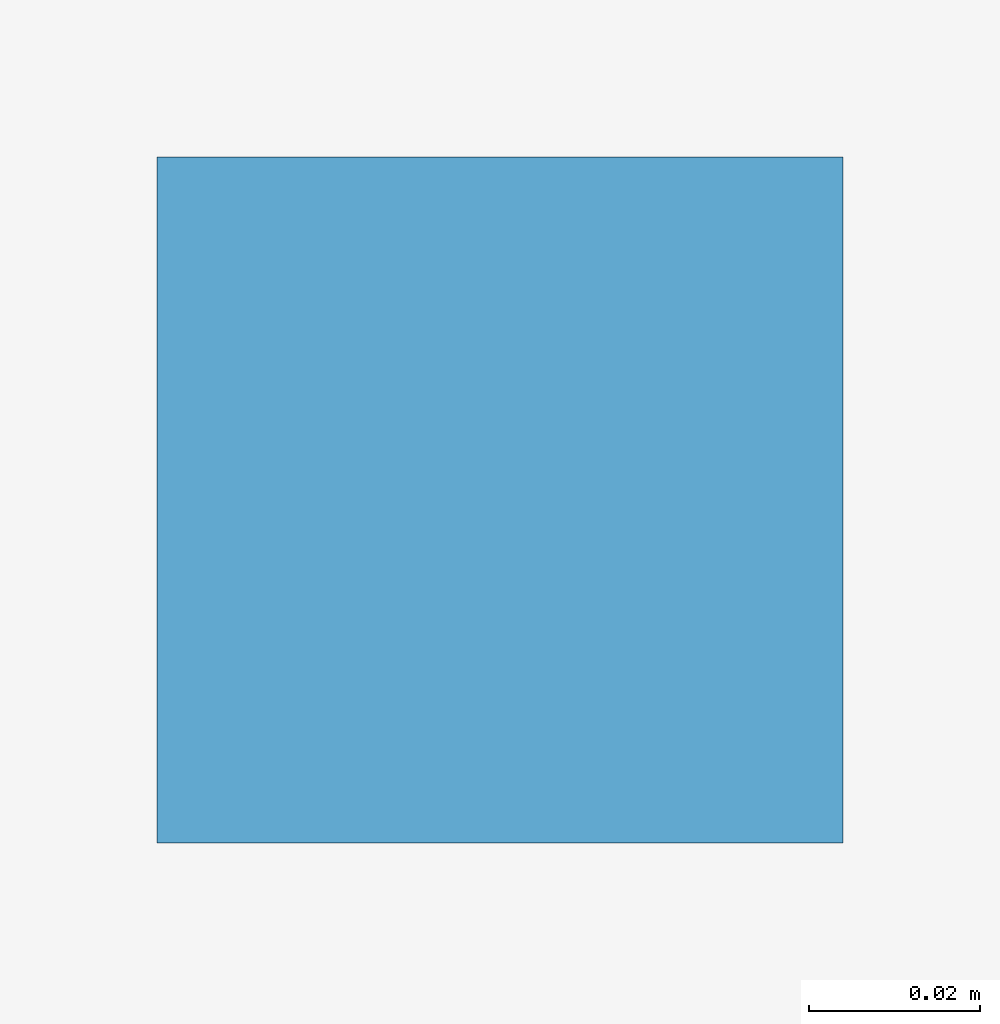
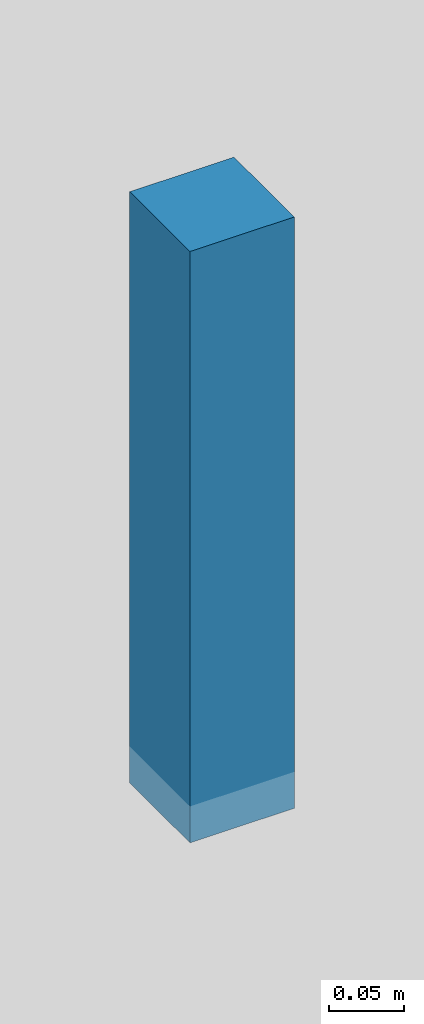
# One storey, part 10 of 13: 1 discrete accessory.
"""IFC4 building model written with IfcOpenShell, lengths in metres."""

from ifc_helpers import new_model, si_unit, direction, frame, origin, origin_2d, place, context, subcontext, project, spatial, rectangle, extrude, source, transform, mapped, material, type_object, element, save


model = new_model("IFC4")

# Units and contexts
model_context = context("Model", 3, precision=1e-05, world=origin(), true_north=direction((0.0, 1.0)))
body_context = subcontext(model_context, "Body", "Model", "MODEL_VIEW")
ifc_project = project(units=[si_unit("LENGTHUNIT", "METRE"), si_unit("AREAUNIT", "SQUARE_METRE"), si_unit("VOLUMEUNIT", "CUBIC_METRE"), si_unit("PLANEANGLEUNIT", "RADIAN"), si_unit("MASSUNIT", "GRAM", prefix="KILO")], contexts=[model_context])

# Site, building, storey
site_placement = place(None, origin())
site = spatial("IfcSite", under=ifc_project, at=site_placement, CompositionType="ELEMENT")
building_placement = place(site_placement, origin())
building = spatial("IfcBuilding", under=site, at=building_placement, Name="Giltprow Tower", CompositionType="ELEMENT")
storey_placement = place(building_placement, frame((0.0, 0.0, 349.300048828125)))
storey = spatial("IfcBuildingStorey", under=building, at=storey_placement, Name="L91", CompositionType="ELEMENT", Elevation=349.300048828125)

# Discrete accessory
ifc_material = material(Name="Structural steel Q355B", Category="steel")
discrete_accessory_type = type_object("IfcDiscreteAccessoryType", Name="ACC-CLG-HANGER", PredefinedType="BRACKET", material=ifc_material)
shared_shape = source(origin(), body_context, "Body", "SweptSolid", [
    extrude(rectangle(XDim=0.080078125, YDim=0.080078125, at=origin_2d()), origin(), (0.0, 0.0, 1.0), 0.47998046875),
])
discrete_accessory_placement = place(storey_placement, frame((35.0, 36.050048828125, 2.619873046875), z_axis=(0.0, 0.0, 1.0), x_axis=(1.0, 0.0, 0.0)))
element("IfcDiscreteAccessory", 1, at=discrete_accessory_placement, inside=storey, type_object=discrete_accessory_type, Name="L91 Residence Gallery Ceiling Suspension Hanger", PredefinedType="BRACKET", context=body_context, shape_type="MappedRepresentation", body=[
    mapped(shared_shape, transform((0.0, 0.0, 0.0), x_axis=(1.0, 0.0, 0.0), y_axis=(0.0, 1.0, 0.0), z_axis=(0.0, 0.0, 1.0), scale=1.0)),
])

save(model, "model.ifc")
